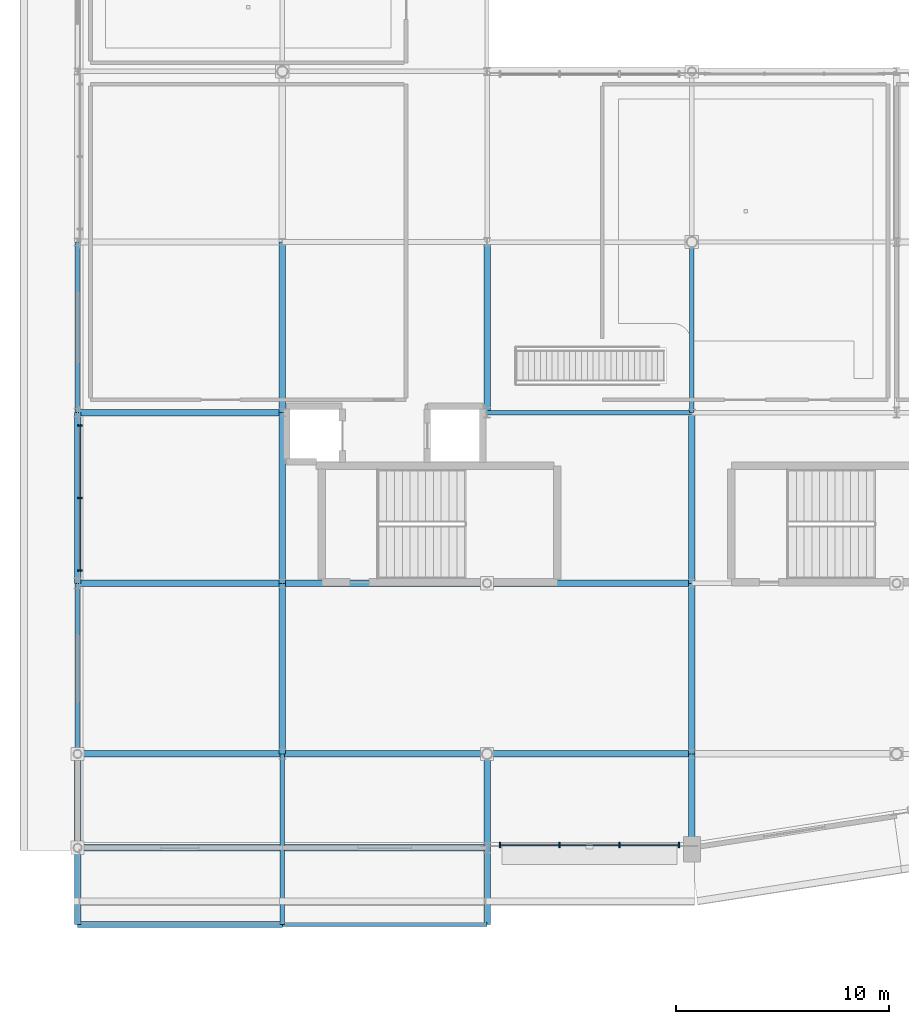
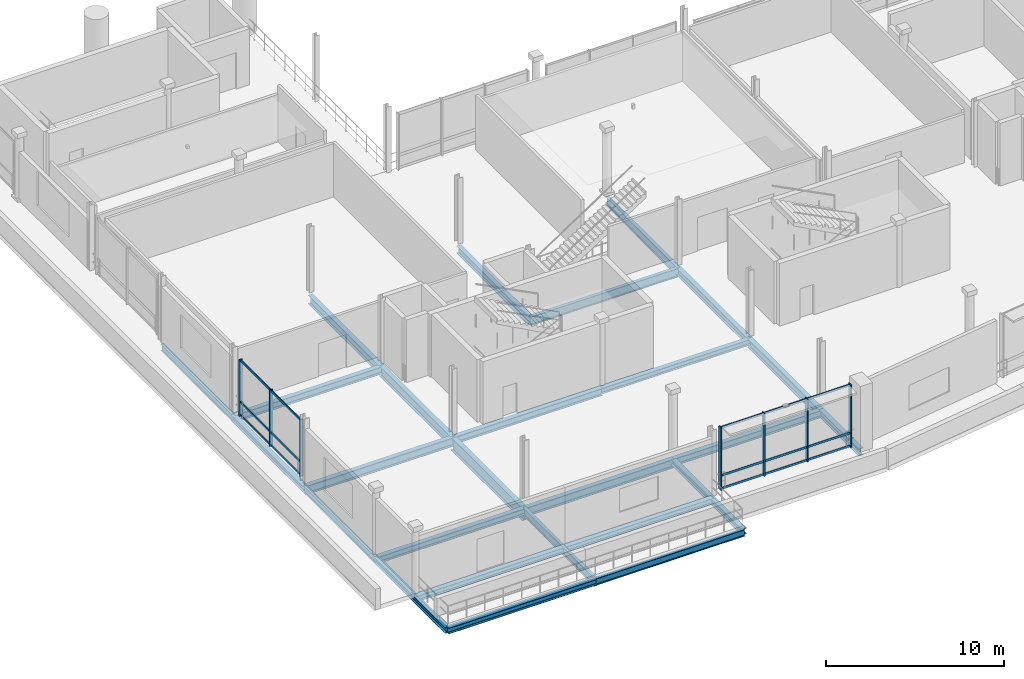
# One storey, part 12 of 59: 25 beams, 13 members, 2 elements without a shape of their own.
"""IFC4 building model written with IfcOpenShell, lengths in metres."""

from ifc_helpers import new_model, si_unit, direction, frame, origin, origin_2d, place, context, subcontext, project, spatial, rectangle, i_section, extrude, material, material_profile, profile_set, type_object, element, aggregate, save


model = new_model("IFC4")

# Units and contexts
model_context = context("Model", 3, precision=1e-05, world=origin(), true_north=direction((0.0, 1.0)))
body_context = subcontext(model_context, "Body", "Model", "MODEL_VIEW")
ifc_project = project(units=[si_unit("LENGTHUNIT", "METRE"), si_unit("AREAUNIT", "SQUARE_METRE"), si_unit("VOLUMEUNIT", "CUBIC_METRE"), si_unit("PLANEANGLEUNIT", "RADIAN"), si_unit("MASSUNIT", "GRAM", prefix="KILO")], contexts=[model_context])

# Site, building, storey
site_placement = place(None, origin())
site = spatial("IfcSite", under=ifc_project, at=site_placement, CompositionType="ELEMENT")
building_placement = place(site_placement, origin())
building = spatial("IfcBuilding", under=site, at=building_placement, Name="Danafjord Basin Convention Centre", CompositionType="ELEMENT")
storey_placement = place(building_placement, frame((0.0, 0.0, 15.89990234375)))
storey = spatial("IfcBuildingStorey", under=building, at=storey_placement, Name="L03", CompositionType="ELEMENT", Elevation=15.89990234375)

# Beams
ifc_material_1 = material(Name="Steel S355", Category="steel")
ifc_material_profile_1 = material_profile(ifc_material_1, i_section(OverallWidth=0.300048828125, OverallDepth=0.389892578125, WebThickness=0.010986328125, FlangeThickness=0.01904296875, FilletRadius=0.027099609375, at=origin_2d()), Name="HEA 400")
ifc_profile_set_1 = profile_set([ifc_material_profile_1], Name="Steel S355")
beam_type_1 = type_object("IfcBeamType", Name="BEAM-BM-HEA400", PredefinedType="BEAM", material=ifc_profile_set_1)
beam_1_placement = place(storey_placement, frame((19.199951171875, 16.0, -0.4248046875), z_axis=(1.0, 0.0, 0.0), x_axis=(0.0, 1.0, 0.0)))
element("IfcBeam", 1, at=beam_1_placement, inside=storey, type_object=beam_type_1, Name="L03 girder BM-HEA400", PredefinedType="BEAM", context=body_context, shape_type="SweptSolid", body=[
    extrude(i_section(OverallWidth=0.300048828125, OverallDepth=0.389892578125, WebThickness=0.010986328125, FlangeThickness=0.01904296875, FilletRadius=0.027099609375, at=origin_2d()), origin(), (0.0, 0.0, 1.0), 9.60009765625),
])
beam_2_placement = place(storey_placement, frame((0.0, 3.60009765625, -0.4248046875), z_axis=(1.0, 0.0, 0.0), x_axis=(0.0, 1.0, 0.0)))
element("IfcBeam", 2, at=beam_2_placement, inside=storey, type_object=beam_type_1, Name="L03 terrace support girder", PredefinedType="BEAM", context=body_context, shape_type="SweptSolid", body=[
    extrude(i_section(OverallWidth=0.300048828125, OverallDepth=0.389892578125, WebThickness=0.010986328125, FlangeThickness=0.01904296875, FilletRadius=0.027099609375, at=origin_2d()), origin(), (0.0, 0.0, 1.0), 19.199951171875),
])
ifc_material_profile_2 = material_profile(ifc_material_1, i_section(OverallWidth=0.300048828125, OverallDepth=0.489990234375, WebThickness=0.011962890625, FlangeThickness=0.02294921875, FilletRadius=0.027099609375, at=origin_2d()), Name="HEA 500")
ifc_profile_set_2 = profile_set([ifc_material_profile_2], Name="Steel S355")
beam_type_2 = type_object("IfcBeamType", Name="BEAM-BM-HEA500", PredefinedType="BEAM", material=ifc_profile_set_2)
beam_3_placement = place(storey_placement, frame((0.0, 24.0, -0.474853515625), z_axis=(1.0, 0.0, 0.0), x_axis=(0.0, 1.0, 0.0)))
element("IfcBeam", 3, at=beam_3_placement, inside=storey, type_object=beam_type_2, Name="L03 girder BM-HEA500", PredefinedType="BEAM", context=body_context, shape_type="SweptSolid", body=[
    extrude(i_section(OverallWidth=0.300048828125, OverallDepth=0.489990234375, WebThickness=0.011962890625, FlangeThickness=0.02294921875, FilletRadius=0.027099609375, at=origin_2d()), origin(), (0.0, 0.0, 1.0), 9.60009765625),
])
beam_4_placement = place(storey_placement, frame((9.60009765625, 16.0, -0.474853515625), z_axis=(1.0, 0.0, 0.0), x_axis=(0.0, 1.0, 0.0)))
element("IfcBeam", 4, at=beam_4_placement, inside=storey, type_object=beam_type_2, Name="L03 girder BM-HEA500", PredefinedType="BEAM", context=body_context, shape_type="SweptSolid", body=[
    extrude(i_section(OverallWidth=0.300048828125, OverallDepth=0.489990234375, WebThickness=0.011962890625, FlangeThickness=0.02294921875, FilletRadius=0.027099609375, at=origin_2d()), origin(), (0.0, 0.0, 1.0), 9.599853515625),
])
beam_5_placement = place(storey_placement, frame((19.199951171875, 8.0, -0.474853515625), z_axis=(1.0, 0.0, 0.0), x_axis=(0.0, 1.0, 0.0)))
element("IfcBeam", 5, at=beam_5_placement, inside=storey, type_object=beam_type_2, Name="L03 girder BM-HEA500", PredefinedType="BEAM", context=body_context, shape_type="SweptSolid", body=[
    extrude(i_section(OverallWidth=0.300048828125, OverallDepth=0.489990234375, WebThickness=0.011962890625, FlangeThickness=0.02294921875, FilletRadius=0.027099609375, at=origin_2d()), origin(), (0.0, 0.0, 1.0), 9.60009765625),
])
beam_6_placement = place(storey_placement, frame((28.800048828125, 3.530029296875, -0.474853515625), z_axis=(0.0, 1.0, 0.0), x_axis=(-1.0, 0.0, 0.0)))
element("IfcBeam", 6, at=beam_6_placement, inside=storey, type_object=beam_type_2, Name="L03 radial harbour arc girder", PredefinedType="BEAM", context=body_context, shape_type="SweptSolid", body=[
    extrude(i_section(OverallWidth=0.300048828125, OverallDepth=0.489990234375, WebThickness=0.011962890625, FlangeThickness=0.02294921875, FilletRadius=0.027099609375, at=origin_2d()), origin(), (0.0, 0.0, 1.0), 4.469970703125),
])
ifc_material_profile_3 = material_profile(ifc_material_1, i_section(OverallWidth=0.300048828125, OverallDepth=0.590087890625, WebThickness=0.012939453125, FlangeThickness=0.02490234375, FilletRadius=0.027099609375, at=origin_2d()), Name="HEA 600")
ifc_profile_set_3 = profile_set([ifc_material_profile_3], Name="Steel S355")
beam_type_3 = type_object("IfcBeamType", Name="BEAM-BM-HEA600", PredefinedType="BEAM", material=ifc_profile_set_3)
beam_7_placement = place(storey_placement, frame((0.0, 16.0, -0.52490234375), z_axis=(1.0, 0.0, 0.0), x_axis=(0.0, 1.0, 0.0)))
element("IfcBeam", 7, at=beam_7_placement, inside=storey, type_object=beam_type_3, Name="L03 girder BM-HEA600", PredefinedType="BEAM", context=body_context, shape_type="SweptSolid", body=[
    extrude(i_section(OverallWidth=0.300048828125, OverallDepth=0.590087890625, WebThickness=0.012939453125, FlangeThickness=0.02490234375, FilletRadius=0.027099609375, at=origin_2d()), origin(), (0.0, 0.0, 1.0), 9.60009765625),
])
beam_8_placement = place(storey_placement, frame((9.60009765625, 8.0, -0.52490234375), z_axis=(1.0, 0.0, 0.0), x_axis=(0.0, 1.0, 0.0)))
element("IfcBeam", 8, at=beam_8_placement, inside=storey, type_object=beam_type_3, Name="L03 girder BM-HEA600", PredefinedType="BEAM", context=body_context, shape_type="SweptSolid", body=[
    extrude(i_section(OverallWidth=0.300048828125, OverallDepth=0.590087890625, WebThickness=0.012939453125, FlangeThickness=0.02490234375, FilletRadius=0.027099609375, at=origin_2d()), origin(), (0.0, 0.0, 1.0), 9.599853515625),
])
ifc_material_profile_4 = material_profile(ifc_material_1, i_section(OverallWidth=0.300048828125, OverallDepth=0.449951171875, WebThickness=0.013916015625, FlangeThickness=0.02587890625, FilletRadius=0.027099609375, at=origin_2d()), Name="HEB 450")
ifc_profile_set_4 = profile_set([ifc_material_profile_4], Name="Steel S355")
beam_type_4 = type_object("IfcBeamType", Name="BEAM-BM-HEB450", PredefinedType="BEAM", material=ifc_profile_set_4)
beam_9_placement = place(storey_placement, frame((0.0, 8.0, -0.454833984375), z_axis=(1.0, 0.0, 0.0), x_axis=(0.0, 1.0, 0.0)))
element("IfcBeam", 9, at=beam_9_placement, inside=storey, type_object=beam_type_4, Name="L03 girder BM-HEB450", PredefinedType="BEAM", context=body_context, shape_type="SweptSolid", body=[
    extrude(i_section(OverallWidth=0.300048828125, OverallDepth=0.449951171875, WebThickness=0.013916015625, FlangeThickness=0.02587890625, FilletRadius=0.027099609375, at=origin_2d()), origin(), (0.0, 0.0, 1.0), 9.60009765625),
])
ifc_material_profile_5 = material_profile(ifc_material_1, i_section(OverallWidth=0.300048828125, OverallDepth=0.5, WebThickness=0.014404296875, FlangeThickness=0.028076171875, FilletRadius=0.027099609375, at=origin_2d()), Name="HEB 500")
ifc_profile_set_5 = profile_set([ifc_material_profile_5], Name="Steel S355")
beam_type_5 = type_object("IfcBeamType", Name="BEAM-BM-HEB500", PredefinedType="BEAM", material=ifc_profile_set_5)
for number, where, z_axis, x_axis, name in (
    (10, (19.199951171875, 24.0, -0.47998046875), (0.0, 1.0, 0.0), (-1.0, 0.0, 0.0), "L03 transverse girder BM-HEB500"),
    (11, (28.800048828125, 16.0, -0.47998046875), (0.0, 1.0, 0.0), (-1.0, 0.0, 0.0), "L03 transverse girder BM-HEB500"),
):
    element("IfcBeam", number, at=place(storey_placement, frame(where, z_axis=z_axis, x_axis=x_axis)), inside=storey, type_object=beam_type_5, Name=name, PredefinedType="BEAM", context=body_context, shape_type="SweptSolid", body=[
        extrude(i_section(OverallWidth=0.300048828125, OverallDepth=0.5, WebThickness=0.014404296875, FlangeThickness=0.028076171875, FilletRadius=0.027099609375, at=origin_2d()), origin(), (0.0, 0.0, 1.0), 8.0),
    ])
ifc_material_profile_6 = material_profile(ifc_material_1, i_section(OverallWidth=0.300048828125, OverallDepth=0.60009765625, WebThickness=0.015380859375, FlangeThickness=0.030029296875, FilletRadius=0.027099609375, at=origin_2d()), Name="HEB 600")
ifc_profile_set_6 = profile_set([ifc_material_profile_6], Name="Steel S355")
beam_type_6 = type_object("IfcBeamType", Name="BEAM-BM-HEB600", PredefinedType="BEAM", material=ifc_profile_set_6)
for number, where, z_axis, x_axis, name in (
    (12, (9.60009765625, 24.0, -0.52978515625), (0.0, 1.0, 0.0), (-1.0, 0.0, 0.0), "L03 transverse girder BM-HEB600"),
    (13, (28.800048828125, 8.0, -0.52978515625), (0.0, 1.0, 0.0), (-1.0, 0.0, 0.0), "L03 transverse girder BM-HEB600"),
):
    element("IfcBeam", number, at=place(storey_placement, frame(where, z_axis=z_axis, x_axis=x_axis)), inside=storey, type_object=beam_type_6, Name=name, PredefinedType="BEAM", context=body_context, shape_type="SweptSolid", body=[
        extrude(i_section(OverallWidth=0.300048828125, OverallDepth=0.60009765625, WebThickness=0.015380859375, FlangeThickness=0.030029296875, FilletRadius=0.027099609375, at=origin_2d()), origin(), (0.0, 0.0, 1.0), 8.0),
    ])
ifc_material_profile_7 = material_profile(ifc_material_1, i_section(OverallWidth=0.300048828125, OverallDepth=0.699951171875, WebThickness=0.01708984375, FlangeThickness=0.031982421875, FilletRadius=0.027099609375, at=origin_2d()), Name="HEB 700")
ifc_profile_set_7 = profile_set([ifc_material_profile_7], Name="Steel S355")
beam_type_7 = type_object("IfcBeamType", Name="BEAM-BM-HEB700", PredefinedType="BEAM", material=ifc_profile_set_7)
beam_10_placement = place(storey_placement, frame((9.60009765625, 16.0, -0.579833984375), z_axis=(0.0, 1.0, 0.0), x_axis=(-1.0, 0.0, 0.0)))
element("IfcBeam", 14, at=beam_10_placement, inside=storey, type_object=beam_type_7, Name="L03 transverse girder BM-HEB700", PredefinedType="BEAM", context=body_context, shape_type="SweptSolid", body=[
    extrude(i_section(OverallWidth=0.300048828125, OverallDepth=0.699951171875, WebThickness=0.01708984375, FlangeThickness=0.031982421875, FilletRadius=0.027099609375, at=origin_2d()), origin(), (0.0, 0.0, 1.0), 8.0),
])
ifc_material_profile_8 = material_profile(ifc_material_1, i_section(OverallWidth=0.300048828125, OverallDepth=0.89990234375, WebThickness=0.0185546875, FlangeThickness=0.034912109375, FilletRadius=0.030029296875, at=origin_2d()), Name="HEB 900")
ifc_profile_set_8 = profile_set([ifc_material_profile_8], Name="Steel S355")
beam_type_8 = type_object("IfcBeamType", Name="BEAM-BM-HEB900", PredefinedType="BEAM", material=ifc_profile_set_8)
beam_11_placement = place(storey_placement, frame((9.60009765625, 8.0, -0.679931640625), z_axis=(0.0, 1.0, 0.0), x_axis=(-1.0, 0.0, 0.0)))
element("IfcBeam", 15, at=beam_11_placement, inside=storey, type_object=beam_type_8, Name="L03 transverse girder BM-HEB900", PredefinedType="BEAM", context=body_context, shape_type="SweptSolid", body=[
    extrude(i_section(OverallWidth=0.300048828125, OverallDepth=0.89990234375, WebThickness=0.0185546875, FlangeThickness=0.034912109375, FilletRadius=0.030029296875, at=origin_2d()), origin(), (0.0, 0.0, 1.0), 8.0),
])
ifc_material_profile_9 = material_profile(ifc_material_1, i_section(OverallWidth=0.2099609375, OverallDepth=0.550048828125, WebThickness=0.010986328125, FlangeThickness=0.01708984375, FilletRadius=0.02392578125, at=origin_2d()), Name="IPE 550")
ifc_profile_set_9 = profile_set([ifc_material_profile_9], Name="Steel S355")
beam_type_9 = type_object("IfcBeamType", Name="BEAM-BM-IPE550", PredefinedType="BEAM", material=ifc_profile_set_9)
beam_12_placement = place(storey_placement, frame((9.60009765625, 0.0, -0.5048828125), z_axis=(0.0, 1.0, 0.0), x_axis=(-1.0, 0.0, 0.0)))
element("IfcBeam", 16, at=beam_12_placement, inside=storey, type_object=beam_type_9, Name="L03 transverse girder BM-IPE550", PredefinedType="BEAM", context=body_context, shape_type="SweptSolid", body=[
    extrude(i_section(OverallWidth=0.2099609375, OverallDepth=0.550048828125, WebThickness=0.010986328125, FlangeThickness=0.01708984375, FilletRadius=0.02392578125, at=origin_2d()), origin(), (0.0, 0.0, 1.0), 8.0),
])
ifc_material_profile_10 = material_profile(ifc_material_1, i_section(OverallWidth=0.219970703125, OverallDepth=0.60009765625, WebThickness=0.011962890625, FlangeThickness=0.01904296875, FilletRadius=0.02392578125, at=origin_2d()), Name="IPE 600")
ifc_profile_set_10 = profile_set([ifc_material_profile_10], Name="Steel S355")
beam_type_10 = type_object("IfcBeamType", Name="BEAM-BM-IPE600", PredefinedType="BEAM", material=ifc_profile_set_10)
beam_13_placement = place(storey_placement, frame((19.199951171875, 24.0, -0.52978515625), z_axis=(1.0, 0.0, 0.0), x_axis=(0.0, 1.0, 0.0)))
element("IfcBeam", 17, at=beam_13_placement, inside=storey, type_object=beam_type_10, Name="L03 girder BM-IPE600", PredefinedType="BEAM", context=body_context, shape_type="SweptSolid", body=[
    extrude(i_section(OverallWidth=0.219970703125, OverallDepth=0.60009765625, WebThickness=0.011962890625, FlangeThickness=0.01904296875, FilletRadius=0.02392578125, at=origin_2d()), origin(), (0.0, 0.0, 1.0), 9.60009765625),
])
beam_14_placement = place(storey_placement, frame((28.800048828125, 24.0, -0.52978515625), z_axis=(0.0, 1.0, 0.0), x_axis=(-1.0, 0.0, 0.0)))
element("IfcBeam", 18, at=beam_14_placement, inside=storey, type_object=beam_type_10, Name="L03 transverse girder BM-IPE600", PredefinedType="BEAM", context=body_context, shape_type="SweptSolid", body=[
    extrude(i_section(OverallWidth=0.219970703125, OverallDepth=0.60009765625, WebThickness=0.011962890625, FlangeThickness=0.01904296875, FilletRadius=0.02392578125, at=origin_2d()), origin(), (0.0, 0.0, 1.0), 8.0),
])
ifc_material_profile_11 = material_profile(ifc_material_1, i_section(OverallWidth=0.300048828125, OverallDepth=0.39990234375, WebThickness=0.013427734375, FlangeThickness=0.02392578125, FilletRadius=0.027099609375, at=origin_2d()), Name="HEB 400")
ifc_profile_set_11 = profile_set([ifc_material_profile_11], Name="Steel S355")
beam_type_11 = type_object("IfcBeamType", Name="BEAM-SP-HEB400", PredefinedType="SPANDREL", material=ifc_profile_set_11)
beam_15_placement = place(storey_placement, frame((0.0, 0.0, -0.42578125), z_axis=(1.0, 0.0, 0.0), x_axis=(0.0, 1.0, 0.0)))
element("IfcBeam", 19, at=beam_15_placement, inside=storey, type_object=beam_type_11, Name="L03 girder SP-HEB400", PredefinedType="SPANDREL", context=body_context, shape_type="SweptSolid", body=[
    extrude(i_section(OverallWidth=0.300048828125, OverallDepth=0.39990234375, WebThickness=0.013427734375, FlangeThickness=0.02392578125, FilletRadius=0.027099609375, at=origin_2d()), origin(), (0.0, 0.0, 1.0), 9.60009765625),
])
for number, where, z_axis, x_axis, name in (
    (20, (0.0, 0.0, -0.429931640625), (0.0, 1.0, 0.0), (-1.0, 0.0, 0.0), "L03 transverse girder SP-HEB400"),
    (21, (0.0, 16.0, -0.429931640625), (0.0, 1.0, 0.0), (-1.0, 0.0, 0.0), "L03 transverse girder SP-HEB400"),
    (22, (19.199951171875, 0.0, -0.429931640625), (0.0, 1.0, 0.0), (-1.0, 0.0, 0.0), "L03 transverse girder SP-HEB400"),
):
    element("IfcBeam", number, at=place(storey_placement, frame(where, z_axis=z_axis, x_axis=x_axis)), inside=storey, type_object=beam_type_11, Name=name, PredefinedType="SPANDREL", context=body_context, shape_type="SweptSolid", body=[
        extrude(i_section(OverallWidth=0.300048828125, OverallDepth=0.39990234375, WebThickness=0.013427734375, FlangeThickness=0.02392578125, FilletRadius=0.027099609375, at=origin_2d()), origin(), (0.0, 0.0, 1.0), 8.0),
    ])
ifc_material_profile_12 = material_profile(ifc_material_1, i_section(OverallWidth=0.18994140625, OverallDepth=0.449951171875, WebThickness=0.009521484375, FlangeThickness=0.0146484375, FilletRadius=0.02099609375, at=origin_2d()), Name="IPE 450")
ifc_profile_set_12 = profile_set([ifc_material_profile_12], Name="Steel S355")
beam_type_12 = type_object("IfcBeamType", Name="BEAM-SP-IPE450", PredefinedType="SPANDREL", material=ifc_profile_set_12)
beam_16_placement = place(storey_placement, frame((9.60009765625, 0.0, -0.450927734375), z_axis=(1.0, 0.0, 0.0), x_axis=(0.0, 1.0, 0.0)))
element("IfcBeam", 23, at=beam_16_placement, inside=storey, type_object=beam_type_12, Name="L03 girder SP-IPE450", PredefinedType="SPANDREL", context=body_context, shape_type="SweptSolid", body=[
    extrude(i_section(OverallWidth=0.18994140625, OverallDepth=0.449951171875, WebThickness=0.009521484375, FlangeThickness=0.0146484375, FilletRadius=0.02099609375, at=origin_2d()), origin(), (0.0, 0.0, 1.0), 9.599853515625),
])
for number, where, z_axis, x_axis, name in (
    (24, (0.0, 8.0, -0.454833984375), (0.0, 1.0, 0.0), (-1.0, 0.0, 0.0), "L03 transverse girder SP-IPE450"),
    (25, (0.0, 24.0, -0.454833984375), (0.0, 1.0, 0.0), (-1.0, 0.0, 0.0), "L03 transverse girder SP-IPE450"),
):
    element("IfcBeam", number, at=place(storey_placement, frame(where, z_axis=z_axis, x_axis=x_axis)), inside=storey, type_object=beam_type_12, Name=name, PredefinedType="SPANDREL", context=body_context, shape_type="SweptSolid", body=[
        extrude(i_section(OverallWidth=0.18994140625, OverallDepth=0.449951171875, WebThickness=0.009521484375, FlangeThickness=0.0146484375, FilletRadius=0.02099609375, at=origin_2d()), origin(), (0.0, 0.0, 1.0), 8.0),
    ])

# Curtain wall, members
ifc_material_2 = material(Name="Anodised aluminium and triple glazing", Category="aluminium")
curtain_wall_type = type_object("IfcCurtainWallType", Name="CW-CW-TERR", PredefinedType="NOTDEFINED", material=ifc_material_2)
curtain_wall_1_placement = place(storey_placement, origin())
curtain_wall_1 = element("IfcCurtainWall", 26, at=curtain_wall_1_placement, inside=storey, type_object=curtain_wall_type, Name="L03 CW-TERR unitised curtain wall bay 82", PredefinedType="NOTDEFINED")
ifc_material_3 = material(Name="Anodised aluminium EN AW-6060", Category="aluminium")
ifc_material_profile_13 = material_profile(ifc_material_3, rectangle(XDim=0.06494140625, YDim=0.219970703125, at=origin_2d()), Name="MULL 65x220")
ifc_profile_set_13 = profile_set([ifc_material_profile_13], Name="Anodised aluminium EN AW-6060")
member_type_1 = type_object("IfcMemberType", Name="MEM-ML-220", PredefinedType="MULLION", material=ifc_profile_set_13)
member_1_placement = place(storey_placement, frame((0.1201171875, 23.39990234375, -0.02490234375), z_axis=(0.0, 0.0, 1.0), x_axis=(0.0, -1.0, 0.0)))
member_1 = element("IfcMember", 27, at=member_1_placement, type_object=member_type_1, Name="CW-L03-082 mullion 1", PredefinedType="MULLION", context=body_context, shape_type="SweptSolid", body=[
    extrude(rectangle(XDim=0.06494140625, YDim=0.219970703125, at=origin_2d()), origin(), (0.0, 0.0, 1.0), 3.89111328125),
])
member_2_placement = place(storey_placement, frame((0.1201171875, 20.0, -0.02490234375), z_axis=(0.0, 0.0, 1.0), x_axis=(0.0, -1.0, 0.0)))
member_2 = element("IfcMember", 28, at=member_2_placement, type_object=member_type_1, Name="CW-L03-082 mullion 2", PredefinedType="MULLION", context=body_context, shape_type="SweptSolid", body=[
    extrude(rectangle(XDim=0.06494140625, YDim=0.219970703125, at=origin_2d()), origin(), (0.0, 0.0, 1.0), 3.89111328125),
])
member_3_placement = place(storey_placement, frame((0.1201171875, 16.60009765625, -0.02490234375), z_axis=(0.0, 0.0, 1.0), x_axis=(0.0, -1.0, 0.0)))
member_3 = element("IfcMember", 29, at=member_3_placement, type_object=member_type_1, Name="CW-L03-082 mullion 3", PredefinedType="MULLION", context=body_context, shape_type="SweptSolid", body=[
    extrude(rectangle(XDim=0.06494140625, YDim=0.219970703125, at=origin_2d()), origin(), (0.0, 0.0, 1.0), 3.89111328125),
])

curtain_wall_2_placement = place(storey_placement, origin())
curtain_wall_2 = element("IfcCurtainWall", 30, at=curtain_wall_2_placement, inside=storey, type_object=curtain_wall_type, Name="L03 CW-TERR unitised curtain wall bay 28", PredefinedType="NOTDEFINED")
ifc_material_profile_14 = material_profile(ifc_material_3, rectangle(XDim=0.070068359375, YDim=0.260009765625, at=origin_2d()), Name="MULL 70x260")
ifc_profile_set_14 = profile_set([ifc_material_profile_14], Name="Anodised aluminium EN AW-6060")
member_type_2 = type_object("IfcMemberType", Name="MEM-ML-260", PredefinedType="MULLION", material=ifc_profile_set_14)
member_4_placement = place(storey_placement, frame((19.800048828125, 3.719970703125, -0.02490234375), z_axis=(0.0, 0.0, 1.0), x_axis=(1.0, 0.0, 0.0)))
member_4 = element("IfcMember", 31, at=member_4_placement, type_object=member_type_2, Name="CW-L03-028 mullion 1", PredefinedType="MULLION", context=body_context, shape_type="SweptSolid", body=[
    extrude(rectangle(XDim=0.070068359375, YDim=0.260009765625, at=origin_2d()), origin(), (0.0, 0.0, 1.0), 4.30908203125),
])
member_5_placement = place(storey_placement, frame((22.60009765625, 3.719970703125, -0.02490234375), z_axis=(0.0, 0.0, 1.0), x_axis=(1.0, 0.0, 0.0)))
member_5 = element("IfcMember", 32, at=member_5_placement, type_object=member_type_2, Name="CW-L03-028 mullion 2", PredefinedType="MULLION", context=body_context, shape_type="SweptSolid", body=[
    extrude(rectangle(XDim=0.070068359375, YDim=0.260009765625, at=origin_2d()), origin(), (0.0, 0.0, 1.0), 4.30908203125),
])
member_6_placement = place(storey_placement, frame((25.39990234375, 3.719970703125, -0.02490234375), z_axis=(0.0, 0.0, 1.0), x_axis=(1.0, 0.0, 0.0)))
member_6 = element("IfcMember", 33, at=member_6_placement, type_object=member_type_2, Name="CW-L03-028 mullion 3", PredefinedType="MULLION", context=body_context, shape_type="SweptSolid", body=[
    extrude(rectangle(XDim=0.070068359375, YDim=0.260009765625, at=origin_2d()), origin(), (0.0, 0.0, 1.0), 4.30908203125),
])
member_7_placement = place(storey_placement, frame((28.199951171875, 3.719970703125, -0.02490234375), z_axis=(0.0, 0.0, 1.0), x_axis=(1.0, 0.0, 0.0)))
member_7 = element("IfcMember", 34, at=member_7_placement, type_object=member_type_2, Name="CW-L03-028 mullion 4", PredefinedType="MULLION", context=body_context, shape_type="SweptSolid", body=[
    extrude(rectangle(XDim=0.070068359375, YDim=0.260009765625, at=origin_2d()), origin(), (0.0, 0.0, 1.0), 4.30908203125),
])
ifc_material_profile_15 = material_profile(ifc_material_3, rectangle(XDim=0.06005859375, YDim=0.14990234375, at=origin_2d()), Name="TRAN 60x150")
ifc_profile_set_15 = profile_set([ifc_material_profile_15], Name="Anodised aluminium EN AW-6060")
member_type_3 = type_object("IfcMemberType", Name="MEM-TR-150", PredefinedType="USERDEFINED", material=ifc_profile_set_15)
member_8_placement = place(storey_placement, frame((19.800048828125, 3.719970703125, 0.06005859375), z_axis=(1.0, 0.0, 0.0), x_axis=(0.0, 1.0, 0.0)))
member_8 = element("IfcMember", 35, at=member_8_placement, type_object=member_type_3, Name="CW-L03-028 transom 1", ObjectType="TRANSOM", PredefinedType="USERDEFINED", context=body_context, shape_type="SweptSolid", body=[
    extrude(rectangle(XDim=0.06005859375, YDim=0.14990234375, at=origin_2d()), origin(), (0.0, 0.0, 1.0), 8.39990234375),
])
member_9_placement = place(storey_placement, frame((19.800048828125, 3.719970703125, 0.9501953125), z_axis=(1.0, 0.0, 0.0), x_axis=(0.0, 1.0, 0.0)))
member_9 = element("IfcMember", 36, at=member_9_placement, type_object=member_type_3, Name="CW-L03-028 transom 2", ObjectType="TRANSOM", PredefinedType="USERDEFINED", context=body_context, shape_type="SweptSolid", body=[
    extrude(rectangle(XDim=0.06005859375, YDim=0.14990234375, at=origin_2d()), origin(), (0.0, 0.0, 1.0), 8.39990234375),
])
member_10_placement = place(storey_placement, frame((19.800048828125, 3.719970703125, 4.214111328125), z_axis=(1.0, 0.0, 0.0), x_axis=(0.0, 1.0, 0.0)))
member_10 = element("IfcMember", 37, at=member_10_placement, type_object=member_type_3, Name="CW-L03-028 transom 3", ObjectType="TRANSOM", PredefinedType="USERDEFINED", context=body_context, shape_type="SweptSolid", body=[
    extrude(rectangle(XDim=0.06005859375, YDim=0.14990234375, at=origin_2d()), origin(), (0.0, 0.0, 1.0), 8.39990234375),
])
aggregate(curtain_wall_2, [member_4, member_5, member_6, member_7, member_8, member_9, member_10])

# Member
member_11_placement = place(storey_placement, frame((0.1201171875, 23.39990234375, 0.06005859375), z_axis=(0.0, -1.0, 0.0), x_axis=(1.0, 0.0, 0.0)))
member_11 = element("IfcMember", 38, at=member_11_placement, type_object=member_type_3, Name="CW-L03-082 transom 1", ObjectType="TRANSOM", PredefinedType="USERDEFINED", context=body_context, shape_type="SweptSolid", body=[
    extrude(rectangle(XDim=0.06005859375, YDim=0.14990234375, at=origin_2d()), origin(), (0.0, 0.0, 1.0), 6.7998046875),
])

member_12_placement = place(storey_placement, frame((0.1201171875, 23.39990234375, 0.9501953125), z_axis=(0.0, -1.0, 0.0), x_axis=(1.0, 0.0, 0.0)))
member_12 = element("IfcMember", 39, at=member_12_placement, type_object=member_type_3, Name="CW-L03-082 transom 2", ObjectType="TRANSOM", PredefinedType="USERDEFINED", context=body_context, shape_type="SweptSolid", body=[
    extrude(rectangle(XDim=0.06005859375, YDim=0.14990234375, at=origin_2d()), origin(), (0.0, 0.0, 1.0), 6.7998046875),
])

member_13_placement = place(storey_placement, frame((0.1201171875, 23.39990234375, 3.796142578125), z_axis=(0.0, -1.0, 0.0), x_axis=(1.0, 0.0, 0.0)))
member_13 = element("IfcMember", 40, at=member_13_placement, type_object=member_type_3, Name="CW-L03-082 transom 3", ObjectType="TRANSOM", PredefinedType="USERDEFINED", context=body_context, shape_type="SweptSolid", body=[
    extrude(rectangle(XDim=0.06005859375, YDim=0.14990234375, at=origin_2d()), origin(), (0.0, 0.0, 1.0), 6.7998046875),
])

aggregate(curtain_wall_1, [member_1, member_2, member_3, member_11, member_12, member_13])

save(model, "model.ifc")
